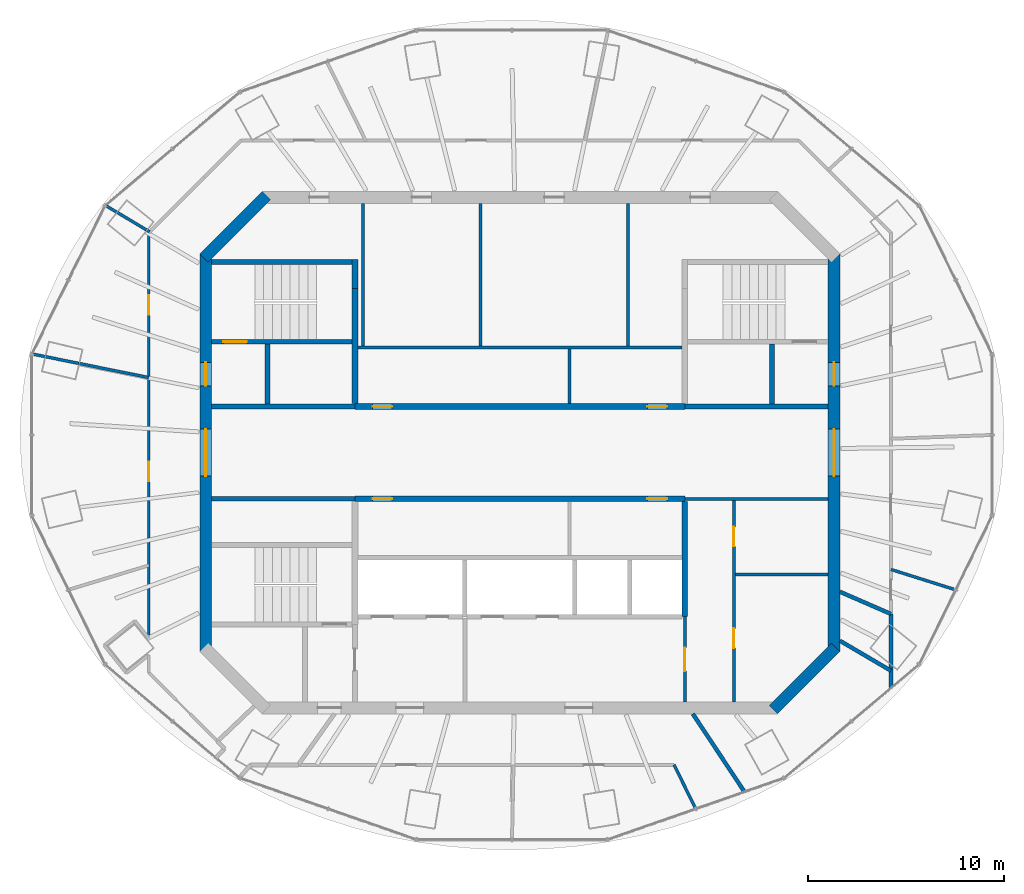
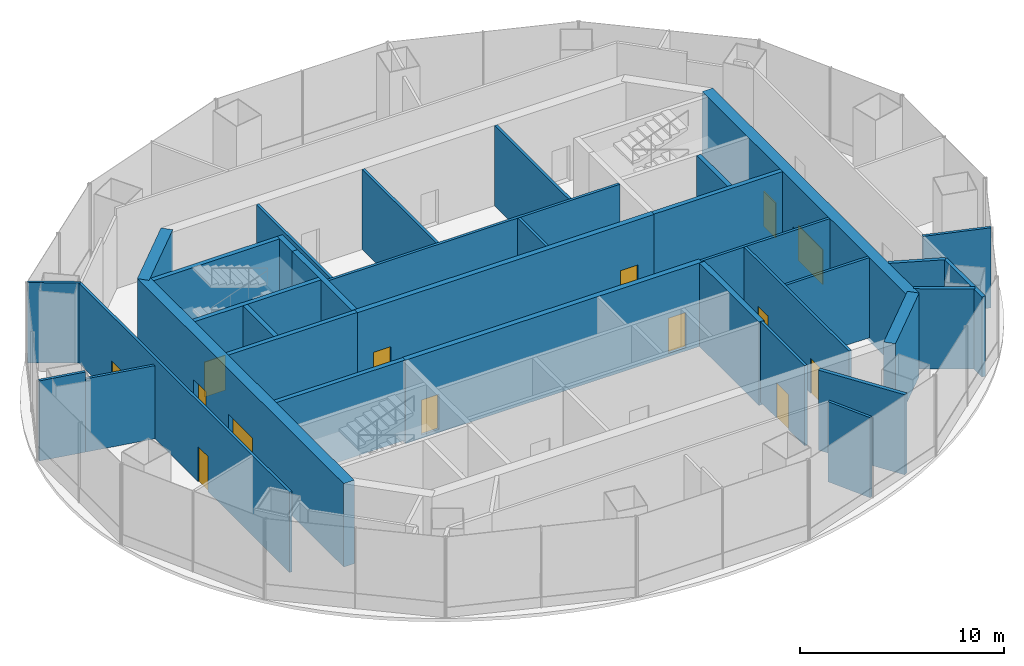
# One storey, part 9 of 12: 35 walls, 14 doors, 14 openings.
"""IFC4 building model written with IfcOpenShell, lengths in metres."""

from ifc_helpers import new_model, si_unit, direction, frame, frame_2d, origin, place, context, subcontext, project, spatial, rectangle, extrude, material, layer, layer_set, type_object, element, fill, save


model = new_model("IFC4")

# Units and contexts
model_context = context("Model", 3, precision=1e-05, world=origin(), true_north=direction((0.0, 1.0)))
body_context = subcontext(model_context, "Body", "Model", "MODEL_VIEW")
ifc_project = project(units=[si_unit("LENGTHUNIT", "METRE"), si_unit("AREAUNIT", "SQUARE_METRE"), si_unit("VOLUMEUNIT", "CUBIC_METRE"), si_unit("PLANEANGLEUNIT", "RADIAN"), si_unit("MASSUNIT", "GRAM", prefix="KILO")], contexts=[model_context])

# Site, building, storey
site_placement = place(None, origin())
site = spatial("IfcSite", under=ifc_project, at=site_placement, CompositionType="ELEMENT")
building_placement = place(site_placement, origin())
building = spatial("IfcBuilding", under=site, at=building_placement, Name="Marenthal Gate Tower", CompositionType="ELEMENT")
storey_placement = place(building_placement, frame((0.0, 0.0, 413.550048828125)))
storey = spatial("IfcBuildingStorey", under=building, at=storey_placement, Name="L93", CompositionType="ELEMENT", Elevation=413.550048828125)

# Wall
ifc_material_1 = material(Name="Concrete 60 MPa", Category="concrete")
ifc_layer_1 = layer(ifc_material_1, 0.60009765625)
ifc_layer_set_1 = layer_set([ifc_layer_1], Name="Core shear wall 600")
wall_type_1 = type_object("IfcWallType", Name="Core shear wall 600", PredefinedType="SHEAR", material=ifc_layer_set_1)
wall_1_placement = place(storey_placement, frame((12.912109375, -13.087890625, -0.199951171875), z_axis=(0.0, 0.0, 1.0), x_axis=(0.707106781187, 0.707106781187, 0.0)))
element("IfcWall", 1, at=wall_1_placement, inside=storey, type_object=wall_type_1, Name="Core wall 01", PredefinedType="SHEAR", context=body_context, shape_type="SweptSolid", body=[
    extrude(rectangle(XDim=4.4912109375, YDim=0.60009765625, at=frame_2d((2.24560546875, 0.0))), origin(), (0.0, 0.0, 1.0), 5.0),
])

# Wall, openings, doors
wall_2_placement = place(storey_placement, frame((16.0, -10.124267578125, -0.199951171875), z_axis=(0.0, 0.0, 1.0), x_axis=(0.0, 1.0, 0.0)))
wall_2 = element("IfcWall", 2, at=wall_2_placement, inside=storey, type_object=wall_type_1, Name="Core wall 02", PredefinedType="SHEAR", context=body_context, shape_type="SweptSolid", body=[
    extrude(rectangle(XDim=20.24853515625, YDim=0.60009765625, at=frame_2d((10.124267578125, 0.0))), origin(), (0.0, 0.0, 1.0), 5.0),
])
opening_1_placement = place(wall_2_placement, frame((8.92431640625, 0.0, 0.199951171875)))
opening_1 = element("IfcOpeningElement", 3, at=opening_1_placement, cuts=wall_2, Name="Opening D003.02", PredefinedType="OPENING", context=body_context, shape_type="SweptSolid", body=[
    extrude(rectangle(XDim=2.39990234375, YDim=2.10009765625, at=frame_2d((1.199951171875, 1.050048828125))), frame((0.0, 0.31005859375, 0.0), z_axis=(0.0, -1.0, 0.0), x_axis=(1.0, 0.0, 0.0)), (0.0, 0.0, 1.0), 0.6201171875),
])
opening_2_placement = place(wall_2_placement, frame((13.5244140625, 0.0, 0.199951171875)))
opening_2 = element("IfcOpeningElement", 4, at=opening_2_placement, cuts=wall_2, Name="Opening D001.05", PredefinedType="OPENING", context=body_context, shape_type="SweptSolid", body=[
    extrude(rectangle(XDim=1.199951171875, YDim=2.10009765625, at=frame_2d((0.60009765625, 1.050048828125))), frame((0.0, 0.31005859375, 0.0), z_axis=(0.0, -1.0, 0.0), x_axis=(1.0, 0.0, 0.0)), (0.0, 0.0, 1.0), 0.6201171875),
])
ifc_material_2 = material(Name="Steel fire door", Category="steel")
door_type_1 = type_object("IfcDoorType", Name="Double fire door FD 45 2400 x 2100", OperationType="DOUBLE_DOOR_SINGLE_SWING", PredefinedType="DOOR", material=ifc_material_2)
door_1_placement = place(opening_1_placement, origin())
door_1 = element("IfcDoor", 5, at=door_1_placement, inside=storey, type_object=door_type_1, Name="Door D003.02", OperationType="DOUBLE_DOOR_SINGLE_SWING", OverallHeight=2.10009765625, OverallWidth=2.39990234375, PredefinedType="DOOR", context=body_context, shape_type="SweptSolid", body=[
    extrude(rectangle(XDim=2.39990234375, YDim=2.10009765625, at=frame_2d((1.199951171875, 1.050048828125))), frame((0.0, 0.02490234375, 0.0), z_axis=(0.0, -1.0, 0.0), x_axis=(1.0, 0.0, 0.0)), (0.0, 0.0, 1.0), 0.050048828125),
])
fill(opening_1, door_1)
ifc_material_3 = material(Name="Steel fire door", Category="steel")
door_type_2 = type_object("IfcDoorType", Name="Fire door FD 90 1200 x 2100", OperationType="NOTDEFINED", PredefinedType="DOOR", material=ifc_material_3)
door_2_placement = place(opening_2_placement, origin())
door_2 = element("IfcDoor", 6, at=door_2_placement, inside=storey, type_object=door_type_2, Name="Door D001.05", OperationType="SINGLE_SWING_RIGHT", OverallHeight=2.10009765625, OverallWidth=1.199951171875, PredefinedType="DOOR", context=body_context, shape_type="SweptSolid", body=[
    extrude(rectangle(XDim=1.199951171875, YDim=2.10009765625, at=frame_2d((0.60009765625, 1.050048828125))), frame((0.0, 0.02490234375, 0.0), z_axis=(0.0, -1.0, 0.0), x_axis=(1.0, 0.0, 0.0)), (0.0, 0.0, 1.0), 0.050048828125),
])
fill(opening_2, door_2)

# Wall
wall_3_placement = place(storey_placement, frame((-12.912109375, 13.087890625, -0.199951171875), z_axis=(0.0, 0.0, 1.0), x_axis=(-0.707106781187, -0.707106781187, 0.0)))
element("IfcWall", 7, at=wall_3_placement, inside=storey, type_object=wall_type_1, Name="Core wall 05", PredefinedType="SHEAR", context=body_context, shape_type="SweptSolid", body=[
    extrude(rectangle(XDim=4.4912109375, YDim=0.60009765625, at=frame_2d((2.24560546875, 0.0))), origin(), (0.0, 0.0, 1.0), 5.0),
])

# Wall, openings, doors
wall_4_placement = place(storey_placement, frame((-16.0, 10.124267578125, -0.199951171875), z_axis=(0.0, 0.0, 1.0), x_axis=(0.0, -1.0, 0.0)))
wall_4 = element("IfcWall", 8, at=wall_4_placement, inside=storey, type_object=wall_type_1, Name="Core wall 06", PredefinedType="SHEAR", context=body_context, shape_type="SweptSolid", body=[
    extrude(rectangle(XDim=20.24853515625, YDim=0.60009765625, at=frame_2d((10.124267578125, 0.0))), origin(), (0.0, 0.0, 1.0), 5.0),
])
opening_3_placement = place(wall_4_placement, frame((8.92431640625, 0.0, 0.199951171875)))
opening_3 = element("IfcOpeningElement", 9, at=opening_3_placement, cuts=wall_4, Name="Opening D003.01", PredefinedType="OPENING", context=body_context, shape_type="SweptSolid", body=[
    extrude(rectangle(XDim=2.39990234375, YDim=2.10009765625, at=frame_2d((1.199951171875, 1.050048828125))), frame((0.0, 0.31005859375, 0.0), z_axis=(0.0, -1.0, 0.0), x_axis=(1.0, 0.0, 0.0)), (0.0, 0.0, 1.0), 0.6201171875),
])
opening_4_placement = place(wall_4_placement, frame((5.5244140625, 0.0, 0.199951171875)))
opening_4 = element("IfcOpeningElement", 10, at=opening_4_placement, cuts=wall_4, Name="Opening D001.04", PredefinedType="OPENING", context=body_context, shape_type="SweptSolid", body=[
    extrude(rectangle(XDim=1.199951171875, YDim=2.10009765625, at=frame_2d((0.60009765625, 1.050048828125))), frame((0.0, 0.31005859375, 0.0), z_axis=(0.0, -1.0, 0.0), x_axis=(1.0, 0.0, 0.0)), (0.0, 0.0, 1.0), 0.6201171875),
])
door_3_placement = place(opening_3_placement, origin())
door_3 = element("IfcDoor", 11, at=door_3_placement, inside=storey, type_object=door_type_1, Name="Door D003.01", OperationType="DOUBLE_DOOR_SINGLE_SWING", OverallHeight=2.10009765625, OverallWidth=2.39990234375, PredefinedType="DOOR", context=body_context, shape_type="SweptSolid", body=[
    extrude(rectangle(XDim=2.39990234375, YDim=2.10009765625, at=frame_2d((1.199951171875, 1.050048828125))), frame((0.0, 0.02490234375, 0.0), z_axis=(0.0, -1.0, 0.0), x_axis=(1.0, 0.0, 0.0)), (0.0, 0.0, 1.0), 0.050048828125),
])
fill(opening_3, door_3)
door_4_placement = place(opening_4_placement, origin())
door_4 = element("IfcDoor", 12, at=door_4_placement, inside=storey, type_object=door_type_2, Name="Door D001.04", OperationType="SINGLE_SWING_RIGHT", OverallHeight=2.10009765625, OverallWidth=1.199951171875, PredefinedType="DOOR", context=body_context, shape_type="SweptSolid", body=[
    extrude(rectangle(XDim=1.199951171875, YDim=2.10009765625, at=frame_2d((0.60009765625, 1.050048828125))), frame((0.0, 0.02490234375, 0.0), z_axis=(0.0, -1.0, 0.0), x_axis=(1.0, 0.0, 0.0)), (0.0, 0.0, 1.0), 0.050048828125),
])
fill(opening_4, door_4)

ifc_material_4 = material(Name="Concrete 50 MPa", Category="concrete")
ifc_layer_2 = layer(ifc_material_4, 0.300048828125)
ifc_layer_set_2 = layer_set([ifc_layer_2], Name="Hoistway shear wall 300")
wall_type_2 = type_object("IfcWallType", Name="Hoistway shear wall 300", PredefinedType="SHEAR", material=ifc_layer_set_2)
wall_5_placement = place(storey_placement, frame((-8.39990234375, -2.35009765625, -0.199951171875), z_axis=(0.0, 0.0, 1.0), x_axis=(1.0, 0.0, 0.0)))
wall_5 = element("IfcWall", 13, at=wall_5_placement, inside=storey, type_object=wall_type_2, Name="Hoistway wall 16", PredefinedType="SHEAR", context=body_context, shape_type="SweptSolid", body=[
    extrude(rectangle(XDim=16.7998046875, YDim=0.300048828125, at=frame_2d((8.39990234375, 0.0))), origin(), (0.0, 0.0, 1.0), 5.0),
])
opening_5_placement = place(wall_5_placement, frame((0.89990234375, 0.0, 0.199951171875)))
opening_5 = element("IfcOpeningElement", 14, at=opening_5_placement, cuts=wall_5, Name="Opening D005.07", PredefinedType="OPENING", context=body_context, shape_type="SweptSolid", body=[
    extrude(rectangle(XDim=1.0, YDim=2.10009765625, at=frame_2d((0.5, 1.050048828125))), frame((0.0, 0.16015625, 0.0), z_axis=(0.0, -1.0, 0.0), x_axis=(1.0, 0.0, 0.0)), (0.0, 0.0, 1.0), 0.320068359375),
])
opening_6_placement = place(wall_5_placement, frame((14.89990234375, 0.0, 0.199951171875)))
opening_6 = element("IfcOpeningElement", 15, at=opening_6_placement, cuts=wall_5, Name="Opening D005.08", PredefinedType="OPENING", context=body_context, shape_type="SweptSolid", body=[
    extrude(rectangle(XDim=1.0, YDim=2.10009765625, at=frame_2d((0.5, 1.050048828125))), frame((0.0, 0.16015625, 0.0), z_axis=(0.0, -1.0, 0.0), x_axis=(1.0, 0.0, 0.0)), (0.0, 0.0, 1.0), 0.320068359375),
])
ifc_material_5 = material(Name="Steel fire door", Category="steel")
door_type_3 = type_object("IfcDoorType", Name="Fire door FD 45 1000 x 2100", OperationType="NOTDEFINED", PredefinedType="DOOR", material=ifc_material_5)
door_5_placement = place(opening_5_placement, frame((1.0, 0.0, 0.0), z_axis=(0.0, 0.0, 1.0), x_axis=(-1.0, 0.0, 0.0)))
door_5 = element("IfcDoor", 16, at=door_5_placement, inside=storey, type_object=door_type_3, Name="Door D005.07", OperationType="SINGLE_SWING_LEFT", OverallHeight=2.10009765625, OverallWidth=1.0, PredefinedType="DOOR", context=body_context, shape_type="SweptSolid", body=[
    extrude(rectangle(XDim=1.0, YDim=2.10009765625, at=frame_2d((0.5, 1.050048828125))), frame((0.0, 0.02490234375, 0.0), z_axis=(0.0, -1.0, 0.0), x_axis=(1.0, 0.0, 0.0)), (0.0, 0.0, 1.0), 0.050048828125),
])
fill(opening_5, door_5)
door_6_placement = place(opening_6_placement, frame((1.0, 0.0, 0.0), z_axis=(0.0, 0.0, 1.0), x_axis=(-1.0, 0.0, 0.0)))
door_6 = element("IfcDoor", 17, at=door_6_placement, inside=storey, type_object=door_type_3, Name="Door D005.08", OperationType="SINGLE_SWING_LEFT", OverallHeight=2.10009765625, OverallWidth=1.0, PredefinedType="DOOR", context=body_context, shape_type="SweptSolid", body=[
    extrude(rectangle(XDim=1.0, YDim=2.10009765625, at=frame_2d((0.5, 1.050048828125))), frame((0.0, 0.02490234375, 0.0), z_axis=(0.0, -1.0, 0.0), x_axis=(1.0, 0.0, 0.0)), (0.0, 0.0, 1.0), 0.050048828125),
])
fill(opening_6, door_6)

wall_6_placement = place(storey_placement, frame((-8.39990234375, 2.35009765625, -0.199951171875), z_axis=(0.0, 0.0, 1.0), x_axis=(1.0, 0.0, 0.0)))
wall_6 = element("IfcWall", 18, at=wall_6_placement, inside=storey, type_object=wall_type_2, Name="Hoistway wall 19", PredefinedType="SHEAR", context=body_context, shape_type="SweptSolid", body=[
    extrude(rectangle(XDim=16.7998046875, YDim=0.300048828125, at=frame_2d((8.39990234375, 0.0))), origin(), (0.0, 0.0, 1.0), 5.0),
])
opening_7_placement = place(wall_6_placement, frame((0.89990234375, 0.0, 0.199951171875)))
opening_7 = element("IfcOpeningElement", 19, at=opening_7_placement, cuts=wall_6, Name="Opening D005.01", PredefinedType="OPENING", context=body_context, shape_type="SweptSolid", body=[
    extrude(rectangle(XDim=1.0, YDim=2.10009765625, at=frame_2d((0.5, 1.050048828125))), frame((0.0, 0.16015625, 0.0), z_axis=(0.0, -1.0, 0.0), x_axis=(1.0, 0.0, 0.0)), (0.0, 0.0, 1.0), 0.320068359375),
])
opening_8_placement = place(wall_6_placement, frame((14.89990234375, 0.0, 0.199951171875)))
opening_8 = element("IfcOpeningElement", 20, at=opening_8_placement, cuts=wall_6, Name="Opening D005.02", PredefinedType="OPENING", context=body_context, shape_type="SweptSolid", body=[
    extrude(rectangle(XDim=1.0, YDim=2.10009765625, at=frame_2d((0.5, 1.050048828125))), frame((0.0, 0.16015625, 0.0), z_axis=(0.0, -1.0, 0.0), x_axis=(1.0, 0.0, 0.0)), (0.0, 0.0, 1.0), 0.320068359375),
])
door_7_placement = place(opening_7_placement, origin())
door_7 = element("IfcDoor", 21, at=door_7_placement, inside=storey, type_object=door_type_3, Name="Door D005.01", OperationType="SINGLE_SWING_RIGHT", OverallHeight=2.10009765625, OverallWidth=1.0, PredefinedType="DOOR", context=body_context, shape_type="SweptSolid", body=[
    extrude(rectangle(XDim=1.0, YDim=2.10009765625, at=frame_2d((0.5, 1.050048828125))), frame((0.0, 0.02490234375, 0.0), z_axis=(0.0, -1.0, 0.0), x_axis=(1.0, 0.0, 0.0)), (0.0, 0.0, 1.0), 0.050048828125),
])
fill(opening_7, door_7)
door_8_placement = place(opening_8_placement, origin())
door_8 = element("IfcDoor", 22, at=door_8_placement, inside=storey, type_object=door_type_3, Name="Door D005.02", OperationType="SINGLE_SWING_RIGHT", OverallHeight=2.10009765625, OverallWidth=1.0, PredefinedType="DOOR", context=body_context, shape_type="SweptSolid", body=[
    extrude(rectangle(XDim=1.0, YDim=2.10009765625, at=frame_2d((0.5, 1.050048828125))), frame((0.0, 0.02490234375, 0.0), z_axis=(0.0, -1.0, 0.0), x_axis=(1.0, 0.0, 0.0)), (0.0, 0.0, 1.0), 0.050048828125),
])
fill(opening_8, door_8)

# Walls
for number, where, z_axis, x_axis, name in (
    (23, (-8.39990234375, 2.5, -0.199951171875), (0.0, 0.0, 1.0), (0.0, 1.0, 0.0), "Hoistway wall 30"),
    (24, (8.39990234375, -8.35009765625, -0.199951171875), (0.0, 0.0, 1.0), (0.0, 1.0, 0.0), "Hoistway wall 42"),
):
    element("IfcWall", number, at=place(storey_placement, frame(where, z_axis=z_axis, x_axis=x_axis)), inside=storey, type_object=wall_type_2, Name=name, PredefinedType="SHEAR", context=body_context, shape_type="SweptSolid", body=[
        extrude(rectangle(XDim=5.85009765625, YDim=0.300048828125, at=frame_2d((2.925048828125, 0.0))), origin(), (0.0, 0.0, 1.0), 5.0),
    ])
ifc_material_6 = material(Name="Gypsum board on steel studs", Category="steel")
ifc_layer_3 = layer(ifc_material_6, 0.14990234375)
ifc_layer_set_3 = layer_set([ifc_layer_3], Name="Partition 150")
wall_type_3 = type_object("IfcWallType", Name="Partition 150", PredefinedType="PARTITIONING", material=ifc_layer_set_3)
wall_7_placement = place(storey_placement, frame((10.97509765625, -6.199951171875, 0.0), z_axis=(0.0, 0.0, 1.0), x_axis=(1.0, 0.0, 0.0)))
element("IfcWall", 25, at=wall_7_placement, inside=storey, type_object=wall_type_3, Name="Partition wall 12", PredefinedType="PARTITIONING", context=body_context, shape_type="SweptSolid", body=[
    extrude(rectangle(XDim=4.724853515625, YDim=0.14990234375, at=frame_2d((2.3623046875, 0.0))), origin(), (0.0, 0.0, 1.0), 4.800048828125),
])
wall_8_placement = place(storey_placement, frame((8.39990234375, -2.35009765625, 0.0), z_axis=(0.0, 0.0, 1.0), x_axis=(1.0, 0.0, 0.0)))
element("IfcWall", 26, at=wall_8_placement, inside=storey, type_object=wall_type_3, Name="Partition wall 17", PredefinedType="PARTITIONING", context=body_context, shape_type="SweptSolid", body=[
    extrude(rectangle(XDim=7.300048828125, YDim=0.14990234375, at=frame_2d((3.64990234375, 0.0))), origin(), (0.0, 0.0, 1.0), 4.800048828125),
])
wall_9_placement = place(storey_placement, frame((-8.25, 5.35009765625, 0.0), z_axis=(0.0, 0.0, 1.0), x_axis=(1.0, 0.0, 0.0)))
element("IfcWall", 27, at=wall_9_placement, inside=storey, type_object=wall_type_3, Name="Partition wall 21", PredefinedType="PARTITIONING", context=body_context, shape_type="SweptSolid", body=[
    extrude(rectangle(XDim=16.5, YDim=0.14990234375, at=frame_2d((8.25, 0.0))), origin(), (0.0, 0.0, 1.0), 4.800048828125),
])
for number, where, z_axis, x_axis, name in (
    (28, (-8.0, 5.425048828125, 0.0), (0.0, 0.0, 1.0), (0.0, 1.0, 0.0), "Partition wall 32"),
    (29, (-2.0, 5.425048828125, 0.0), (0.0, 0.0, 1.0), (0.0, 1.0, 0.0), "Partition wall 35"),
):
    element("IfcWall", number, at=place(storey_placement, frame(where, z_axis=z_axis, x_axis=x_axis)), inside=storey, type_object=wall_type_3, Name=name, PredefinedType="PARTITIONING", context=body_context, shape_type="SweptSolid", body=[
        extrude(rectangle(XDim=7.27490234375, YDim=0.14990234375, at=frame_2d((3.637451171875, 0.0))), origin(), (0.0, 0.0, 1.0), 4.800048828125),
    ])
wall_10_placement = place(storey_placement, frame((2.52001953125, 2.5, 0.0), z_axis=(0.0, 0.0, 1.0), x_axis=(0.0, 1.0, 0.0)))
element("IfcWall", 30, at=wall_10_placement, inside=storey, type_object=wall_type_3, Name="Partition wall 37", PredefinedType="PARTITIONING", context=body_context, shape_type="SweptSolid", body=[
    extrude(rectangle(XDim=2.77490234375, YDim=0.14990234375, at=frame_2d((1.387451171875, 0.0))), origin(), (0.0, 0.0, 1.0), 4.800048828125),
])
wall_11_placement = place(storey_placement, frame((5.5, 5.425048828125, 0.0), z_axis=(0.0, 0.0, 1.0), x_axis=(0.0, 1.0, 0.0)))
element("IfcWall", 31, at=wall_11_placement, inside=storey, type_object=wall_type_3, Name="Partition wall 39", PredefinedType="PARTITIONING", context=body_context, shape_type="SweptSolid", body=[
    extrude(rectangle(XDim=7.27490234375, YDim=0.14990234375, at=frame_2d((3.637451171875, 0.0))), origin(), (0.0, 0.0, 1.0), 4.800048828125),
])

# Wall, opening, door
wall_12_placement = place(storey_placement, frame((8.39990234375, -12.699951171875, 0.0), z_axis=(0.0, 0.0, 1.0), x_axis=(0.0, 1.0, 0.0)))
wall_12 = element("IfcWall", 32, at=wall_12_placement, inside=storey, type_object=wall_type_3, Name="Partition wall 41", PredefinedType="PARTITIONING", context=body_context, shape_type="SweptSolid", body=[
    extrude(rectangle(XDim=4.349853515625, YDim=0.14990234375, at=frame_2d((2.1748046875, 0.0))), origin(), (0.0, 0.0, 1.0), 4.800048828125),
])
opening_9_placement = place(wall_12_placement, frame((1.574951171875, 0.0, 0.0)))
opening_9 = element("IfcOpeningElement", 33, at=opening_9_placement, cuts=wall_12, Name="Opening D006.01", PredefinedType="OPENING", context=body_context, shape_type="SweptSolid", body=[
    extrude(rectangle(XDim=1.199951171875, YDim=2.10009765625, at=frame_2d((0.60009765625, 1.050048828125))), frame((0.0, 0.0849609375, 0.0), z_axis=(0.0, -1.0, 0.0), x_axis=(1.0, 0.0, 0.0)), (0.0, 0.0, 1.0), 0.169921875),
])
ifc_material_7 = material(Name="Steel fire door", Category="steel")
door_type_4 = type_object("IfcDoorType", Name="Fire door FD 45 1200 x 2100", OperationType="NOTDEFINED", PredefinedType="DOOR", material=ifc_material_7)
door_9_placement = place(opening_9_placement, frame((1.199951171875, 0.0, 0.0), z_axis=(0.0, 0.0, 1.0), x_axis=(-1.0, 0.0, 0.0)))
door_9 = element("IfcDoor", 34, at=door_9_placement, inside=storey, type_object=door_type_4, Name="Door D006.01", OperationType="SINGLE_SWING_LEFT", OverallHeight=2.10009765625, OverallWidth=1.199951171875, PredefinedType="DOOR", context=body_context, shape_type="SweptSolid", body=[
    extrude(rectangle(XDim=1.199951171875, YDim=2.10009765625, at=frame_2d((0.60009765625, 1.050048828125))), frame((0.0, 0.02490234375, 0.0), z_axis=(0.0, -1.0, 0.0), x_axis=(1.0, 0.0, 0.0)), (0.0, 0.0, 1.0), 0.050048828125),
])
fill(opening_9, door_9)

# Wall, openings, doors
wall_13_placement = place(storey_placement, frame((10.89990234375, -12.699951171875, 0.0), z_axis=(0.0, 0.0, 1.0), x_axis=(0.0, 1.0, 0.0)))
wall_13 = element("IfcWall", 35, at=wall_13_placement, inside=storey, type_object=wall_type_3, Name="Partition wall 45", PredefinedType="PARTITIONING", context=body_context, shape_type="SweptSolid", body=[
    extrude(rectangle(XDim=10.27490234375, YDim=0.14990234375, at=frame_2d((5.137451171875, 0.0))), origin(), (0.0, 0.0, 1.0), 4.800048828125),
])
opening_10_placement = place(wall_13_placement, frame((7.925048828125, 0.0, 0.0)))
opening_10 = element("IfcOpeningElement", 36, at=opening_10_placement, cuts=wall_13, Name="Opening D005.09", PredefinedType="OPENING", context=body_context, shape_type="SweptSolid", body=[
    extrude(rectangle(XDim=1.0, YDim=2.10009765625, at=frame_2d((0.5, 1.050048828125))), frame((0.0, 0.0849609375, 0.0), z_axis=(0.0, -1.0, 0.0), x_axis=(1.0, 0.0, 0.0)), (0.0, 0.0, 1.0), 0.169921875),
])
opening_11_placement = place(wall_13_placement, frame((2.75, 0.0, 0.0)))
opening_11 = element("IfcOpeningElement", 37, at=opening_11_placement, cuts=wall_13, Name="Opening D005.10", PredefinedType="OPENING", context=body_context, shape_type="SweptSolid", body=[
    extrude(rectangle(XDim=1.0, YDim=2.10009765625, at=frame_2d((0.5, 1.050048828125))), frame((0.0, 0.0849609375, 0.0), z_axis=(0.0, -1.0, 0.0), x_axis=(1.0, 0.0, 0.0)), (0.0, 0.0, 1.0), 0.169921875),
])
door_10_placement = place(opening_10_placement, frame((1.0, 0.0, 0.0), z_axis=(0.0, 0.0, 1.0), x_axis=(-1.0, 0.0, 0.0)))
door_10 = element("IfcDoor", 38, at=door_10_placement, inside=storey, type_object=door_type_3, Name="Door D005.09", OperationType="SINGLE_SWING_LEFT", OverallHeight=2.10009765625, OverallWidth=1.0, PredefinedType="DOOR", context=body_context, shape_type="SweptSolid", body=[
    extrude(rectangle(XDim=1.0, YDim=2.10009765625, at=frame_2d((0.5, 1.050048828125))), frame((0.0, 0.02490234375, 0.0), z_axis=(0.0, -1.0, 0.0), x_axis=(1.0, 0.0, 0.0)), (0.0, 0.0, 1.0), 0.050048828125),
])
fill(opening_10, door_10)
door_11_placement = place(opening_11_placement, frame((1.0, 0.0, 0.0), z_axis=(0.0, 0.0, 1.0), x_axis=(-1.0, 0.0, 0.0)))
door_11 = element("IfcDoor", 39, at=door_11_placement, inside=storey, type_object=door_type_3, Name="Door D005.10", OperationType="SINGLE_SWING_LEFT", OverallHeight=2.10009765625, OverallWidth=1.0, PredefinedType="DOOR", context=body_context, shape_type="SweptSolid", body=[
    extrude(rectangle(XDim=1.0, YDim=2.10009765625, at=frame_2d((0.5, 1.050048828125))), frame((0.0, 0.02490234375, 0.0), z_axis=(0.0, -1.0, 0.0), x_axis=(1.0, 0.0, 0.0)), (0.0, 0.0, 1.0), 0.050048828125),
])
fill(opening_11, door_11)

wall_14_placement = place(storey_placement, frame((-18.89990234375, -9.447998046875, 0.0), z_axis=(0.0, 0.0, 1.0), x_axis=(0.0, 1.0, 0.0)))
wall_14 = element("IfcWall", 40, at=wall_14_placement, inside=storey, type_object=wall_type_3, Name="Partition wall 59", PredefinedType="PARTITIONING", context=body_context, shape_type="SweptSolid", body=[
    extrude(rectangle(XDim=20.6494140625, YDim=0.14990234375, at=frame_2d((10.32470703125, 0.0))), origin(), (0.0, 0.0, 1.0), 4.800048828125),
])
opening_12_placement = place(wall_14_placement, frame((16.46044921875, 0.0, 0.0)))
opening_12 = element("IfcOpeningElement", 41, at=opening_12_placement, cuts=wall_14, Name="Opening D005.15", PredefinedType="OPENING", context=body_context, shape_type="SweptSolid", body=[
    extrude(rectangle(XDim=1.0, YDim=2.10009765625, at=frame_2d((0.5, 1.050048828125))), frame((0.0, 0.0849609375, 0.0), z_axis=(0.0, -1.0, 0.0), x_axis=(1.0, 0.0, 0.0)), (0.0, 0.0, 1.0), 0.169921875),
])
opening_13_placement = place(wall_14_placement, frame((7.98828125, 0.0, 0.0)))
opening_13 = element("IfcOpeningElement", 42, at=opening_13_placement, cuts=wall_14, Name="Opening D005.16", PredefinedType="OPENING", context=body_context, shape_type="SweptSolid", body=[
    extrude(rectangle(XDim=1.0, YDim=2.10009765625, at=frame_2d((0.5, 1.050048828125))), frame((0.0, 0.0849609375, 0.0), z_axis=(0.0, -1.0, 0.0), x_axis=(1.0, 0.0, 0.0)), (0.0, 0.0, 1.0), 0.169921875),
])
door_12_placement = place(opening_12_placement, origin())
door_12 = element("IfcDoor", 43, at=door_12_placement, inside=storey, type_object=door_type_3, Name="Door D005.15", OperationType="SINGLE_SWING_RIGHT", OverallHeight=2.10009765625, OverallWidth=1.0, PredefinedType="DOOR", context=body_context, shape_type="SweptSolid", body=[
    extrude(rectangle(XDim=1.0, YDim=2.10009765625, at=frame_2d((0.5, 1.050048828125))), frame((0.0, 0.02490234375, 0.0), z_axis=(0.0, -1.0, 0.0), x_axis=(1.0, 0.0, 0.0)), (0.0, 0.0, 1.0), 0.050048828125),
])
fill(opening_12, door_12)
door_13_placement = place(opening_13_placement, origin())
door_13 = element("IfcDoor", 44, at=door_13_placement, inside=storey, type_object=door_type_3, Name="Door D005.16", OperationType="SINGLE_SWING_RIGHT", OverallHeight=2.10009765625, OverallWidth=1.0, PredefinedType="DOOR", context=body_context, shape_type="SweptSolid", body=[
    extrude(rectangle(XDim=1.0, YDim=2.10009765625, at=frame_2d((0.5, 1.050048828125))), frame((0.0, 0.02490234375, 0.0), z_axis=(0.0, -1.0, 0.0), x_axis=(1.0, 0.0, 0.0)), (0.0, 0.0, 1.0), 0.050048828125),
])
fill(opening_13, door_13)

# Walls
wall_15_placement = place(storey_placement, frame((8.951171875, -18.124267578125, 0.0), z_axis=(0.0, 0.0, 1.0), x_axis=(-0.44283891536, 0.896601190632, 0.0)))
element("IfcWall", 45, at=wall_15_placement, inside=storey, type_object=wall_type_3, Name="Partition wall 60", PredefinedType="PARTITIONING", context=body_context, shape_type="SweptSolid", body=[
    extrude(rectangle(XDim=2.48095703125, YDim=0.14990234375, at=frame_2d((1.240478515625, 0.0))), origin(), (0.0, 0.0, 1.0), 4.800048828125),
])
wall_16_placement = place(storey_placement, frame((-18.85400390625, 11.247314453125, 0.0), z_axis=(0.0, 0.0, 1.0), x_axis=(-0.858770374849, 0.51236065743, 0.0)))
element("IfcWall", 46, at=wall_16_placement, inside=storey, type_object=wall_type_3, Name="Partition wall 66", PredefinedType="PARTITIONING", context=body_context, shape_type="SweptSolid", body=[
    extrude(rectangle(XDim=2.6083984375, YDim=0.14990234375, at=frame_2d((1.30419921875, 0.0))), origin(), (0.0, 0.0, 1.0), 4.800048828125),
])
wall_17_placement = place(storey_placement, frame((22.177734375, -6.9814453125, 0.0), z_axis=(0.0, 0.0, 1.0), x_axis=(-0.95386356969, 0.300240387719, 0.0)))
element("IfcWall", 47, at=wall_17_placement, inside=storey, type_object=wall_type_3, Name="Partition wall 67", PredefinedType="PARTITIONING", context=body_context, shape_type="SweptSolid", body=[
    extrude(rectangle(XDim=3.436279296875, YDim=0.14990234375, at=frame_2d((1.71826171875, 0.0))), origin(), (0.0, 0.0, 1.0), 4.800048828125),
])
wall_18_placement = place(storey_placement, frame((-18.89990234375, 3.82373046875, 0.0), z_axis=(0.0, 0.0, 1.0), x_axis=(-0.980146495881, 0.198274674663, 0.0)))
element("IfcWall", 48, at=wall_18_placement, inside=storey, type_object=wall_type_3, Name="Partition wall 68", PredefinedType="PARTITIONING", context=body_context, shape_type="SweptSolid", body=[
    extrude(rectangle(XDim=3.6533203125, YDim=0.14990234375, at=frame_2d((1.82666015625, 0.0))), origin(), (0.0, 0.0, 1.0), 4.383056640625),
])
wall_19_placement = place(storey_placement, frame((-22.480712890625, 4.548095703125, 0.0), z_axis=(0.0, 0.0, 1.0), x_axis=(-0.980118699547, 0.198412032898, 0.0)))
element("IfcWall", 49, at=wall_19_placement, inside=storey, type_object=wall_type_3, Name="Partition wall 84", PredefinedType="PARTITIONING", context=body_context, shape_type="SweptSolid", body=[
    extrude(rectangle(XDim=2.39208984375, YDim=0.14990234375, at=frame_2d((1.196044921875, 0.0))), origin(), (0.0, 0.0, 1.0), 4.800048828125),
])
ifc_material_8 = material(Name="Gypsum board on steel studs", Category="steel")
ifc_layer_4 = layer(ifc_material_8, 0.199951171875)
ifc_layer_set_4 = layer_set([ifc_layer_4], Name="Partition 200")
wall_type_4 = type_object("IfcWallType", Name="Partition 200", PredefinedType="PARTITIONING", material=ifc_layer_set_4)
wall_20_placement = place(storey_placement, frame((18.89990234375, -11.95849609375, 0.0), z_axis=(0.0, 0.0, 1.0), x_axis=(0.0, 1.0, 0.0)))
element("IfcWall", 50, at=wall_20_placement, inside=storey, type_object=wall_type_4, Name="Partition wall 74", PredefinedType="PARTITIONING", context=body_context, shape_type="SweptSolid", body=[
    extrude(rectangle(XDim=3.74609375, YDim=0.199951171875, at=frame_2d((1.873046875, 0.0))), origin(), (0.0, 0.0, 1.0), 4.800048828125),
])
wall_21_placement = place(storey_placement, frame((11.42919921875, -17.25927734375, 0.0), z_axis=(0.0, 0.0, 1.0), x_axis=(-0.55212294176, 0.833762710357, 0.0)))
element("IfcWall", 51, at=wall_21_placement, inside=storey, type_object=wall_type_4, Name="Partition wall 75", PredefinedType="PARTITIONING", context=body_context, shape_type="SweptSolid", body=[
    extrude(rectangle(XDim=4.74853515625, YDim=0.199951171875, at=frame_2d((2.374267578125, 0.0))), origin(), (0.0, 0.0, 1.0), 4.800048828125),
])
wall_22_placement = place(storey_placement, frame((18.89892578125, -11.107421875, 0.0), z_axis=(0.0, 0.0, 1.0), x_axis=(-0.862138181782, 0.506673223601, 0.0)))
element("IfcWall", 52, at=wall_22_placement, inside=storey, type_object=wall_type_4, Name="Partition wall 77", PredefinedType="PARTITIONING", context=body_context, shape_type="SweptSolid", body=[
    extrude(rectangle(XDim=3.014404296875, YDim=0.199951171875, at=frame_2d((1.50732421875, 0.0))), origin(), (0.0, 0.0, 1.0), 4.800048828125),
])
wall_23_placement = place(storey_placement, frame((18.89990234375, -8.2158203125, 0.0), z_axis=(0.0, 0.0, 1.0), x_axis=(-0.917070056253, 0.398726111414, 0.0)))
element("IfcWall", 53, at=wall_23_placement, inside=storey, type_object=wall_type_4, Name="Partition wall 78", PredefinedType="PARTITIONING", context=body_context, shape_type="SweptSolid", body=[
    extrude(rectangle(XDim=2.8349609375, YDim=0.199951171875, at=frame_2d((1.41748046875, 0.0))), origin(), (0.0, 0.0, 1.0), 4.800048828125),
])
ifc_material_9 = material(Name="Concrete 40 MPa", Category="concrete")
ifc_layer_5 = layer(ifc_material_9, 0.25)
ifc_layer_set_5 = layer_set([ifc_layer_5], Name="Stair enclosure wall 250")
wall_type_5 = type_object("IfcWallType", Name="Stair enclosure wall 250", PredefinedType="STANDARD", material=ifc_layer_set_5)
for number, where, z_axis, x_axis, name in (
    (54, (-15.699951171875, -2.35009765625, 0.0), (0.0, 0.0, 1.0), (1.0, 0.0, 0.0), "Stair wall 15"),
    (55, (-15.699951171875, 2.35009765625, 0.0), (0.0, 0.0, 1.0), (1.0, 0.0, 0.0), "Stair wall 18"),
    (56, (8.39990234375, 2.35009765625, 0.0), (0.0, 0.0, 1.0), (1.0, 0.0, 0.0), "Stair wall 20"),
):
    element("IfcWall", number, at=place(storey_placement, frame(where, z_axis=z_axis, x_axis=x_axis)), inside=storey, type_object=wall_type_5, Name=name, PredefinedType="STANDARD", context=body_context, shape_type="SweptSolid", body=[
        extrude(rectangle(XDim=7.300048828125, YDim=0.25, at=frame_2d((3.64990234375, 0.0))), origin(), (0.0, 0.0, 1.0), 4.800048828125),
    ])
for number, where, z_axis, x_axis, name in (
    (57, (-12.85009765625, 2.47509765625, 0.0), (0.0, 0.0, 1.0), (0.0, 1.0, 0.0), "Stair wall 26"),
    (58, (12.85009765625, 2.47509765625, 0.0), (0.0, 0.0, 1.0), (0.0, 1.0, 0.0), "Stair wall 46"),
):
    element("IfcWall", number, at=place(storey_placement, frame(where, z_axis=z_axis, x_axis=x_axis)), inside=storey, type_object=wall_type_5, Name=name, PredefinedType="STANDARD", context=body_context, shape_type="SweptSolid", body=[
        extrude(rectangle(XDim=3.0498046875, YDim=0.25, at=frame_2d((1.52490234375, 0.0))), origin(), (0.0, 0.0, 1.0), 4.800048828125),
    ])

# Wall, opening, door
ifc_material_10 = material(Name="Concrete 50 MPa", Category="concrete")
ifc_layer_6 = layer(ifc_material_10, 0.25)
ifc_layer_set_6 = layer_set([ifc_layer_6], Name="Stair shear wall 250")
wall_type_6 = type_object("IfcWallType", Name="Stair shear wall 250", PredefinedType="SHEAR", material=ifc_layer_set_6)
wall_24_placement = place(storey_placement, frame((-15.699951171875, 5.64990234375, -0.199951171875), z_axis=(0.0, 0.0, 1.0), x_axis=(1.0, 0.0, 0.0)))
wall_24 = element("IfcWall", 59, at=wall_24_placement, inside=storey, type_object=wall_type_6, Name="Stair wall 22", PredefinedType="SHEAR", context=body_context, shape_type="SweptSolid", body=[
    extrude(rectangle(XDim=7.14990234375, YDim=0.25, at=frame_2d((3.574951171875, 0.0))), origin(), (0.0, 0.0, 1.0), 5.0),
])
opening_14_placement = place(wall_24_placement, frame((0.60009765625, 0.0, 0.199951171875)))
opening_14 = element("IfcOpeningElement", 60, at=opening_14_placement, cuts=wall_24, Name="Opening D001.01", PredefinedType="OPENING", context=body_context, shape_type="SweptSolid", body=[
    extrude(rectangle(XDim=1.199951171875, YDim=2.10009765625, at=frame_2d((0.60009765625, 1.050048828125))), frame((0.0, 0.135009765625, 0.0), z_axis=(0.0, -1.0, 0.0), x_axis=(1.0, 0.0, 0.0)), (0.0, 0.0, 1.0), 0.27001953125),
])
door_14_placement = place(opening_14_placement, origin())
door_14 = element("IfcDoor", 61, at=door_14_placement, inside=storey, type_object=door_type_2, Name="Door D001.01", OperationType="SINGLE_SWING_RIGHT", OverallHeight=2.10009765625, OverallWidth=1.199951171875, PredefinedType="DOOR", context=body_context, shape_type="SweptSolid", body=[
    extrude(rectangle(XDim=1.199951171875, YDim=2.10009765625, at=frame_2d((0.60009765625, 1.050048828125))), frame((0.0, 0.02490234375, 0.0), z_axis=(0.0, -1.0, 0.0), x_axis=(1.0, 0.0, 0.0)), (0.0, 0.0, 1.0), 0.050048828125),
])
fill(opening_14, door_14)

# Walls
wall_25_placement = place(storey_placement, frame((-15.699951171875, 9.699951171875, -0.199951171875), z_axis=(0.0, 0.0, 1.0), x_axis=(1.0, 0.0, 0.0)))
element("IfcWall", 62, at=wall_25_placement, inside=storey, type_object=wall_type_6, Name="Stair wall 24", PredefinedType="SHEAR", context=body_context, shape_type="SweptSolid", body=[
    extrude(rectangle(XDim=7.14990234375, YDim=0.25, at=frame_2d((3.574951171875, 0.0))), origin(), (0.0, 0.0, 1.0), 5.0),
])
ifc_material_11 = material(Name="Concrete 50 MPa", Category="concrete")
ifc_layer_7 = layer(ifc_material_11, 0.300048828125)
ifc_layer_set_7 = layer_set([ifc_layer_7], Name="Stair shear wall 300")
wall_type_7 = type_object("IfcWallType", Name="Stair shear wall 300", PredefinedType="SHEAR", material=ifc_layer_set_7)
wall_26_placement = place(storey_placement, frame((-8.39990234375, 8.35009765625, -0.199951171875), z_axis=(0.0, 0.0, 1.0), x_axis=(0.0, 1.0, 0.0)))
element("IfcWall", 63, at=wall_26_placement, inside=storey, type_object=wall_type_7, Name="Stair wall 31", PredefinedType="SHEAR", context=body_context, shape_type="SweptSolid", body=[
    extrude(rectangle(XDim=1.474853515625, YDim=0.300048828125, at=frame_2d((0.7373046875, 0.0))), origin(), (0.0, 0.0, 1.0), 5.0),
])

save(model, "model.ifc")
